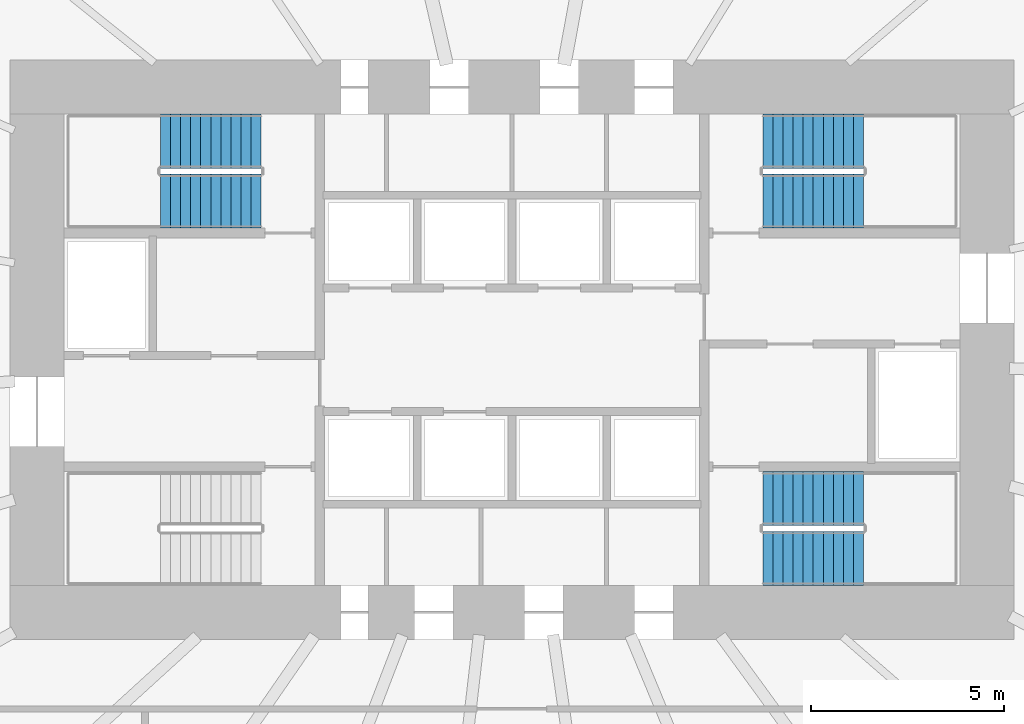
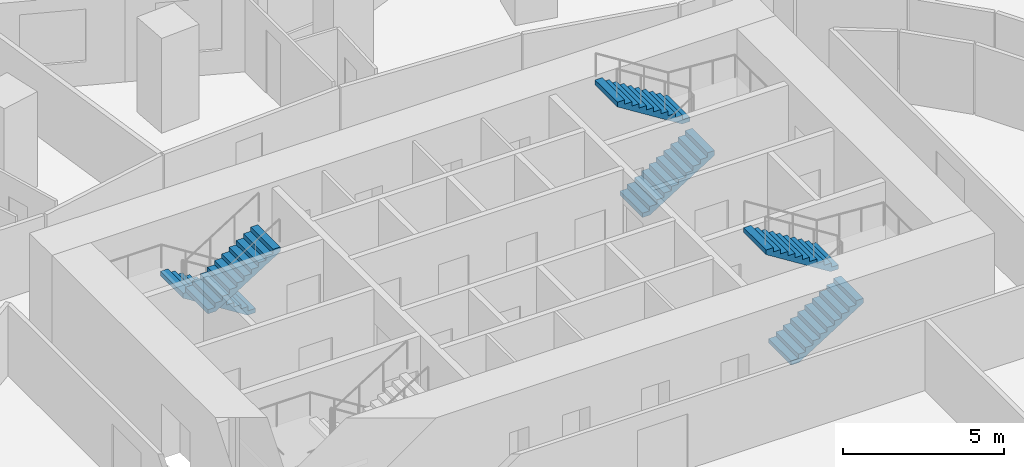
# One storey, part 10 of 11: 6 stair flights, 3 elements without a shape of their own.
"""IFC4 building model written with IfcOpenShell, lengths in metres."""

import ifcopenshell
import ifcopenshell.guid

model = None  # the IFC model being written
_history = None  # IfcOwnerHistory: only IFC2X3 demands one
_inside = {}  # id of a spatial element -> (the spatial element, [elements in it])
_under = {}  # id of a project, library or spatial element -> (it, [spatial elements below it])
_declared = {}  # id of a project -> (the project, [libraries it declares])
_typed = {}  # id of a type object -> (the type object, [elements of that type])
_made_of = {}  # id of a material, layer set ... -> (it, [elements and type objects made of it])


def new_model(schema):
    """Start an empty IFC model of exactly this schema.

    Asked for "IFC4X3", IfcOpenShell would pick the latest addendum, in which some entities
    have other attributes; the version numbers below select the first issue.
    IFC2X3 requires an IfcOwnerHistory on every rooted entity: one is made here for all.
    """
    global model, _history
    if schema == "IFC4X3":
        model = ifcopenshell.file(schema_version=(4, 3, 0, 0))
    else:
        model = ifcopenshell.file(schema=schema)
    _inside.clear()
    _under.clear()
    _declared.clear()
    _typed.clear()
    _made_of.clear()
    _history = None
    if model.schema == "IFC2X3":
        org = make("IfcOrganization", Name="unknown")
        user = make(
            "IfcPersonAndOrganization",
            ThePerson=make("IfcPerson", FamilyName="unknown"),
            TheOrganization=org,
        )
        app = make(
            "IfcApplication",
            ApplicationDeveloper=org,
            Version="unknown",
            ApplicationFullName="unknown",
            ApplicationIdentifier="unknown",
        )
        _history = make(
            "IfcOwnerHistory",
            OwningUser=user,
            OwningApplication=app,
            ChangeAction="ADDED",
            CreationDate=0,
        )
    return model


def make(cls, **values):
    """One entity of the class cls with the attributes given. An attribute that is None is left unset."""
    return model.create_entity(
        cls, **{name: value for name, value in values.items() if value is not None}
    )


def rooted(cls, **values):
    """An entity with a GlobalId (a new one), such as an element, a storey or a relation."""
    return make(cls, GlobalId=ifcopenshell.guid.new(), OwnerHistory=_history, **values)


def si_unit(unit_type, name, prefix=None):
    """IfcSIUnit, for example si_unit("LENGTHUNIT", "METRE", prefix="MILLI")."""
    return make("IfcSIUnit", UnitType=unit_type, Prefix=prefix, Name=name)


def assignment(units):
    """IfcUnitAssignment: the units of a project."""
    return None if units is None else make("IfcUnitAssignment", Units=units)


def point(xyz):
    """IfcCartesianPoint."""
    return None if xyz is None else make("IfcCartesianPoint", Coordinates=xyz)


def direction(xyz):
    """IfcDirection."""
    return None if xyz is None else make("IfcDirection", DirectionRatios=xyz)


def frame(location, z_axis=None, x_axis=None):
    """IfcAxis2Placement3D, a coordinate frame: its origin and axes. An axis left out is left unset."""
    return make(
        "IfcAxis2Placement3D",
        Location=point(location),
        Axis=direction(z_axis),
        RefDirection=direction(x_axis),
    )


def origin():
    """The frame at (0, 0, 0) with its axes left unset."""
    return frame((0.0, 0.0, 0.0))


def place(relative_to, where):
    """IfcLocalPlacement: puts the frame where relative to a parent placement (None: the world)."""
    return make(
        "IfcLocalPlacement", PlacementRelTo=relative_to, RelativePlacement=where
    )


def context(
    kind, dimensions, precision=None, world=None, true_north=None, identifier=None
):
    """IfcGeometricRepresentationContext, for example the 3D "Model" context."""
    return make(
        "IfcGeometricRepresentationContext",
        ContextIdentifier=identifier,
        ContextType=kind,
        CoordinateSpaceDimension=dimensions,
        Precision=precision,
        WorldCoordinateSystem=world,
        TrueNorth=true_north,
    )


def subcontext(parent, identifier, kind, view, scale=None):
    """IfcGeometricRepresentationSubContext, for example "Body" below "Model"."""
    return make(
        "IfcGeometricRepresentationSubContext",
        ContextIdentifier=identifier,
        ContextType=kind,
        ParentContext=parent,
        TargetScale=scale,
        TargetView=view,
    )


def project(units=None, contexts=None):
    """IfcProject with its units and contexts."""
    return rooted(
        "IfcProject",
        Name="project",
        RepresentationContexts=contexts,
        UnitsInContext=assignment(units),
    )


def spatial(cls, under=None, at=None, **own):
    """A site, building, storey or space (cls), placed at a placement, below another one or the project."""
    s = rooted(cls, ObjectPlacement=at, **own)
    if under is not None:
        _under.setdefault(under.id(), (under, []))[1].append(s)
    return s


def polyline(points):
    """IfcPolyline through the points."""
    return make("IfcPolyline", Points=[point(p) for p in points])


def outline(outer, holes=None, kind="AREA"):
    """IfcArbitraryClosedProfileDef: a profile drawn as a closed curve; with holes, ...WithVoids."""
    if holes is None:
        return make("IfcArbitraryClosedProfileDef", ProfileType=kind, OuterCurve=outer)
    return make(
        "IfcArbitraryProfileDefWithVoids",
        ProfileType=kind,
        OuterCurve=outer,
        InnerCurves=holes,
    )


def extrude(swept, where, along, depth):
    """IfcExtrudedAreaSolid: the profile swept, set in the frame where, extruded along a direction by depth."""
    return make(
        "IfcExtrudedAreaSolid",
        SweptArea=swept,
        Position=where,
        ExtrudedDirection=direction(along),
        Depth=depth,
    )


def shape(context_of_items, identifier, shape_type, items):
    """IfcShapeRepresentation: the items that make up one representation, for example the "Body"."""
    return make(
        "IfcShapeRepresentation",
        ContextOfItems=context_of_items,
        RepresentationIdentifier=identifier,
        RepresentationType=shape_type,
        Items=items,
    )


def material(Name=None, Category=None):
    """IfcMaterial."""
    return make("IfcMaterial", Name=Name, Category=Category)


def made_of(thing, what):
    """Note that an element or type object is made of a material, layer set ...; save() writes the relation."""
    if what is not None:
        _made_of.setdefault(what.id(), (what, []))[1].append(thing)
    return thing


def type_object(cls, material=None, **own):
    """A type object (cls), such as IfcWallType, which elements share."""
    return made_of(rooted(cls, **own), material)


def element(
    cls,
    number,
    at=None,
    inside=None,
    cuts=None,
    type_object=None,
    material=None,
    context=None,
    identifier="Body",
    shape_type=None,
    held_by="IfcProductDefinitionShape",
    body=None,
    shapes=None,
    **own,
):
    """One element of the class cls, such as IfcWall. Its Tag is "e" and its number.

    at: its placement. inside: the storey or other place that contains it. cuts: it is an
    opening in that element (IfcRelVoidsElement). A single representation is given by context,
    identifier, shape_type and body (its items); several are given by shapes. held_by: the class
    of the entity that holds the representations. save() writes the other relations.
    """
    e = rooted(cls, Tag="e%d" % number, ObjectPlacement=at, **own)
    if body is not None:
        shapes = [shape(context, identifier, shape_type, body)]
    if shapes is not None:
        e.Representation = make(held_by, Representations=shapes)
    if inside is not None:
        _inside.setdefault(inside.id(), (inside, []))[1].append(e)
    if cuts is not None:
        rooted(
            "IfcRelVoidsElement", RelatingBuildingElement=cuts, RelatedOpeningElement=e
        )
    if type_object is not None:
        _typed.setdefault(type_object.id(), (type_object, []))[1].append(e)
    return made_of(e, material)


def aggregate(whole, parts):
    """IfcRelAggregates: a whole, such as a stair, and the parts it consists of."""
    return rooted("IfcRelAggregates", RelatingObject=whole, RelatedObjects=parts)


def save(model, path):
    """Write the relations noted so far, then the file.

    IfcRelAggregates (storeys below a building ...), IfcRelContainedInSpatialStructure (elements
    in a storey), IfcRelDefinesByType, IfcRelAssociatesMaterial and IfcRelDeclares: one each for
    every whole, place, type object, material and project.
    """
    for whole, parts in _under.values():
        aggregate(whole, parts)
    for where, things in _inside.values():
        rooted(
            "IfcRelContainedInSpatialStructure",
            RelatedElements=things,
            RelatingStructure=where,
        )
    for kind, things in _typed.values():
        rooted("IfcRelDefinesByType", RelatedObjects=things, RelatingType=kind)
    for what, things in _made_of.values():
        rooted("IfcRelAssociatesMaterial", RelatedObjects=things, RelatingMaterial=what)
    for by, libraries in _declared.values():
        rooted("IfcRelDeclares", RelatingContext=by, RelatedDefinitions=libraries)
    model.write(path)


model = new_model("IFC4")

# Units and contexts
model_context = context("Model", 3, precision=1e-05, world=origin(), true_north=direction((0.0, 1.0)))
body_context = subcontext(model_context, "Body", "Model", "MODEL_VIEW")
ifc_project = project(units=[si_unit("LENGTHUNIT", "METRE"), si_unit("AREAUNIT", "SQUARE_METRE"), si_unit("VOLUMEUNIT", "CUBIC_METRE"), si_unit("PLANEANGLEUNIT", "RADIAN"), si_unit("MASSUNIT", "GRAM", prefix="KILO")], contexts=[model_context])

# Site, building, storey
site_placement = place(None, origin())
site = spatial("IfcSite", under=ifc_project, at=site_placement, CompositionType="ELEMENT")
building_placement = place(site_placement, origin())
building = spatial("IfcBuilding", under=site, at=building_placement, Name="Rubra Terraces Tower", CompositionType="ELEMENT")
storey_placement = place(building_placement, frame((0.0, 0.0, 51.89990234375)))
storey = spatial("IfcBuildingStorey", under=building, at=storey_placement, Name="L10", CompositionType="ELEMENT", Elevation=51.89990234375)

# Stair, stair flights
ifc_material = material(Name="Concrete C40", Category="concrete")
stair_type = type_object("IfcStairType", Name="Core stair 1400", PredefinedType="HALF_TURN_STAIR", material=ifc_material)
stair_1_placement = place(storey_placement, origin())
stair_1 = element("IfcStair", 1, at=stair_1_placement, inside=storey, type_object=stair_type, Name="L10 Exit stair S2", PredefinedType="HALF_TURN_STAIR")
stair_flight_type = type_object("IfcStairFlightType", Name="Core stair flight 1400", PredefinedType="STRAIGHT", material=ifc_material)
stair_flight_1_placement = place(storey_placement, frame((-6.5, 9.89990234375, 0.0), z_axis=(0.0, 0.0, 1.0), x_axis=(-1.0, 0.0, 0.0)))
stair_flight_1 = element("IfcStairFlight", 2, at=stair_flight_1_placement, type_object=stair_flight_type, Name="S2 flight 1", NumberOfRisers=11, NumberOfTreads=10, PredefinedType="STRAIGHT", RiserHeight=0.163636364, TreadLength=0.26, context=body_context, shape_type="SweptSolid", body=[
    extrude(outline(polyline([(0.0, 0.0), (0.0, 0.16357421875), (0.260009765625, 0.16357421875), (0.260009765625, 0.327392578125), (0.52001953125, 0.327392578125), (0.52001953125, 0.490966796875), (0.780029296875, 0.490966796875), (0.780029296875, 0.654541015625), (1.0400390625, 0.654541015625), (1.0400390625, 0.818115234375), (1.300048828125, 0.818115234375), (1.300048828125, 0.98193359375), (1.56005859375, 0.98193359375), (1.56005859375, 1.1455078125), (1.820068359375, 1.1455078125), (1.820068359375, 1.30908203125), (2.080078125, 1.30908203125), (2.080078125, 1.47265625), (2.340087890625, 1.47265625), (2.340087890625, 1.636474609375), (2.60009765625, 1.636474609375), (2.60009765625, 1.800048828125), (2.60009765625, 1.459228515625), (0.281494140625, 0.0), (0.0, 0.0)])), frame((0.0, 0.699951171875, 0.0), z_axis=(0.0, -1.0, 0.0), x_axis=(1.0, 0.0, 0.0)), (0.0, 0.0, 1.0), 1.39990234375),
])
stair_flight_2_placement = place(storey_placement, frame((-9.10009765625, 8.35009765625, 1.800048828125), z_axis=(0.0, 0.0, 1.0), x_axis=(1.0, 0.0, 0.0)))
stair_flight_2 = element("IfcStairFlight", 3, at=stair_flight_2_placement, type_object=stair_flight_type, Name="S2 flight 2", NumberOfRisers=11, NumberOfTreads=10, PredefinedType="STRAIGHT", RiserHeight=0.163636364, TreadLength=0.26, context=body_context, shape_type="SweptSolid", body=[
    extrude(outline(polyline([(0.0, 0.0), (0.0, 0.16357421875), (0.260009765625, 0.16357421875), (0.260009765625, 0.327392578125), (0.52001953125, 0.327392578125), (0.52001953125, 0.490966796875), (0.780029296875, 0.490966796875), (0.780029296875, 0.654541015625), (1.0400390625, 0.654541015625), (1.0400390625, 0.818115234375), (1.300048828125, 0.818115234375), (1.300048828125, 0.98193359375), (1.56005859375, 0.98193359375), (1.56005859375, 1.1455078125), (1.820068359375, 1.1455078125), (1.820068359375, 1.30908203125), (2.080078125, 1.30908203125), (2.080078125, 1.47265625), (2.340087890625, 1.47265625), (2.340087890625, 1.636474609375), (2.60009765625, 1.636474609375), (2.60009765625, 1.800048828125), (2.60009765625, 1.459228515625), (0.281494140625, 0.0), (0.0, 0.0)])), frame((0.0, 0.699951171875, 0.0), z_axis=(0.0, -1.0, 0.0), x_axis=(1.0, 0.0, 0.0)), (0.0, 0.0, 1.0), 1.39990234375),
])
aggregate(stair_1, [stair_flight_1, stair_flight_2])

stair_2_placement = place(storey_placement, origin())
stair_2 = element("IfcStair", 4, at=stair_2_placement, inside=storey, type_object=stair_type, Name="L10 Exit stair S3", PredefinedType="HALF_TURN_STAIR")
stair_flight_3_placement = place(storey_placement, frame((6.5, 8.35009765625, 0.0), z_axis=(0.0, 0.0, 1.0), x_axis=(1.0, 0.0, 0.0)))
stair_flight_3 = element("IfcStairFlight", 5, at=stair_flight_3_placement, type_object=stair_flight_type, Name="S3 flight 1", NumberOfRisers=11, NumberOfTreads=10, PredefinedType="STRAIGHT", RiserHeight=0.163636364, TreadLength=0.26, context=body_context, shape_type="SweptSolid", body=[
    extrude(outline(polyline([(0.0, 0.0), (0.0, 0.16357421875), (0.260009765625, 0.16357421875), (0.260009765625, 0.327392578125), (0.52001953125, 0.327392578125), (0.52001953125, 0.490966796875), (0.780029296875, 0.490966796875), (0.780029296875, 0.654541015625), (1.0400390625, 0.654541015625), (1.0400390625, 0.818115234375), (1.300048828125, 0.818115234375), (1.300048828125, 0.98193359375), (1.56005859375, 0.98193359375), (1.56005859375, 1.1455078125), (1.820068359375, 1.1455078125), (1.820068359375, 1.30908203125), (2.080078125, 1.30908203125), (2.080078125, 1.47265625), (2.340087890625, 1.47265625), (2.340087890625, 1.636474609375), (2.60009765625, 1.636474609375), (2.60009765625, 1.800048828125), (2.60009765625, 1.459228515625), (0.281494140625, 0.0), (0.0, 0.0)])), frame((0.0, 0.699951171875, 0.0), z_axis=(0.0, -1.0, 0.0), x_axis=(1.0, 0.0, 0.0)), (0.0, 0.0, 1.0), 1.39990234375),
])
stair_flight_4_placement = place(storey_placement, frame((9.10009765625, 9.89990234375, 1.800048828125), z_axis=(0.0, 0.0, 1.0), x_axis=(-1.0, 0.0, 0.0)))
stair_flight_4 = element("IfcStairFlight", 6, at=stair_flight_4_placement, type_object=stair_flight_type, Name="S3 flight 2", NumberOfRisers=11, NumberOfTreads=10, PredefinedType="STRAIGHT", RiserHeight=0.163636364, TreadLength=0.26, context=body_context, shape_type="SweptSolid", body=[
    extrude(outline(polyline([(0.0, 0.0), (0.0, 0.16357421875), (0.260009765625, 0.16357421875), (0.260009765625, 0.327392578125), (0.52001953125, 0.327392578125), (0.52001953125, 0.490966796875), (0.780029296875, 0.490966796875), (0.780029296875, 0.654541015625), (1.0400390625, 0.654541015625), (1.0400390625, 0.818115234375), (1.300048828125, 0.818115234375), (1.300048828125, 0.98193359375), (1.56005859375, 0.98193359375), (1.56005859375, 1.1455078125), (1.820068359375, 1.1455078125), (1.820068359375, 1.30908203125), (2.080078125, 1.30908203125), (2.080078125, 1.47265625), (2.340087890625, 1.47265625), (2.340087890625, 1.636474609375), (2.60009765625, 1.636474609375), (2.60009765625, 1.800048828125), (2.60009765625, 1.459228515625), (0.281494140625, 0.0), (0.0, 0.0)])), frame((0.0, 0.699951171875, 0.0), z_axis=(0.0, -1.0, 0.0), x_axis=(1.0, 0.0, 0.0)), (0.0, 0.0, 1.0), 1.39990234375),
])
aggregate(stair_2, [stair_flight_3, stair_flight_4])

stair_3_placement = place(storey_placement, origin())
stair_3 = element("IfcStair", 7, at=stair_3_placement, inside=storey, type_object=stair_type, Name="L10 Exit stair S4", PredefinedType="HALF_TURN_STAIR")
stair_flight_5_placement = place(storey_placement, frame((6.5, -0.89990234375, 0.0), z_axis=(0.0, 0.0, 1.0), x_axis=(1.0, 0.0, 0.0)))
stair_flight_5 = element("IfcStairFlight", 8, at=stair_flight_5_placement, type_object=stair_flight_type, Name="S4 flight 1", NumberOfRisers=11, NumberOfTreads=10, PredefinedType="STRAIGHT", RiserHeight=0.163636364, TreadLength=0.26, context=body_context, shape_type="SweptSolid", body=[
    extrude(outline(polyline([(0.0, 0.0), (0.0, 0.16357421875), (0.260009765625, 0.16357421875), (0.260009765625, 0.327392578125), (0.52001953125, 0.327392578125), (0.52001953125, 0.490966796875), (0.780029296875, 0.490966796875), (0.780029296875, 0.654541015625), (1.0400390625, 0.654541015625), (1.0400390625, 0.818115234375), (1.300048828125, 0.818115234375), (1.300048828125, 0.98193359375), (1.56005859375, 0.98193359375), (1.56005859375, 1.1455078125), (1.820068359375, 1.1455078125), (1.820068359375, 1.30908203125), (2.080078125, 1.30908203125), (2.080078125, 1.47265625), (2.340087890625, 1.47265625), (2.340087890625, 1.636474609375), (2.60009765625, 1.636474609375), (2.60009765625, 1.800048828125), (2.60009765625, 1.459228515625), (0.281494140625, 0.0), (0.0, 0.0)])), frame((0.0, 0.699951171875, 0.0), z_axis=(0.0, -1.0, 0.0), x_axis=(1.0, 0.0, 0.0)), (0.0, 0.0, 1.0), 1.39990234375),
])
stair_flight_6_placement = place(storey_placement, frame((9.10009765625, 0.64990234375, 1.800048828125), z_axis=(0.0, 0.0, 1.0), x_axis=(-1.0, 0.0, 0.0)))
stair_flight_6 = element("IfcStairFlight", 9, at=stair_flight_6_placement, type_object=stair_flight_type, Name="S4 flight 2", NumberOfRisers=11, NumberOfTreads=10, PredefinedType="STRAIGHT", RiserHeight=0.163636364, TreadLength=0.26, context=body_context, shape_type="SweptSolid", body=[
    extrude(outline(polyline([(0.0, 0.0), (0.0, 0.16357421875), (0.260009765625, 0.16357421875), (0.260009765625, 0.327392578125), (0.52001953125, 0.327392578125), (0.52001953125, 0.490966796875), (0.780029296875, 0.490966796875), (0.780029296875, 0.654541015625), (1.0400390625, 0.654541015625), (1.0400390625, 0.818115234375), (1.300048828125, 0.818115234375), (1.300048828125, 0.98193359375), (1.56005859375, 0.98193359375), (1.56005859375, 1.1455078125), (1.820068359375, 1.1455078125), (1.820068359375, 1.30908203125), (2.080078125, 1.30908203125), (2.080078125, 1.47265625), (2.340087890625, 1.47265625), (2.340087890625, 1.636474609375), (2.60009765625, 1.636474609375), (2.60009765625, 1.800048828125), (2.60009765625, 1.459228515625), (0.281494140625, 0.0), (0.0, 0.0)])), frame((0.0, 0.699951171875, 0.0), z_axis=(0.0, -1.0, 0.0), x_axis=(1.0, 0.0, 0.0)), (0.0, 0.0, 1.0), 1.39990234375),
])
aggregate(stair_3, [stair_flight_5, stair_flight_6])

save(model, "model.ifc")
